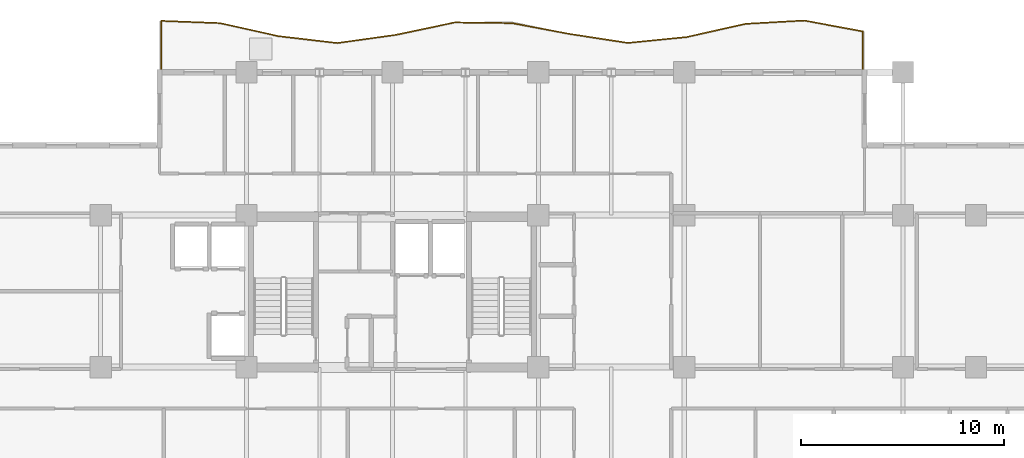
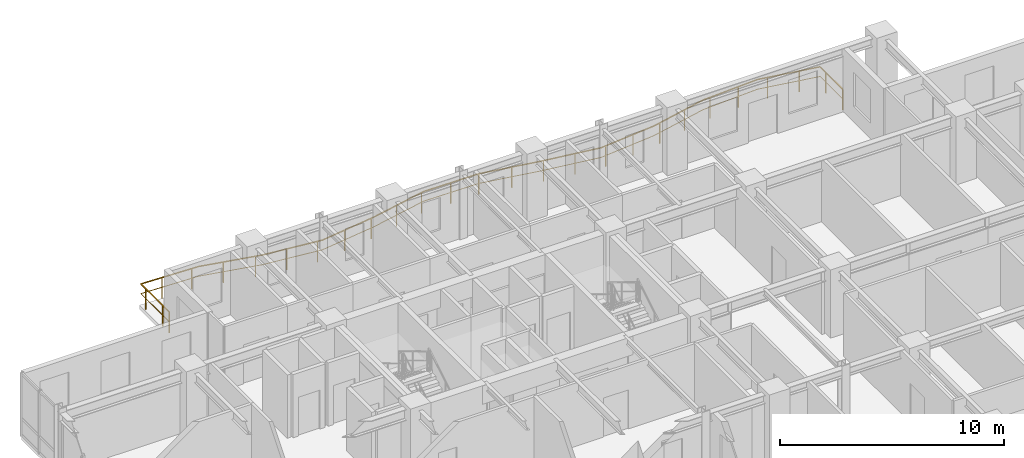
# One storey, part 18 of 18: 1 railing.
"""IFC4 building model written with IfcOpenShell, lengths in metres."""

from ifc_helpers import new_model, si_unit, direction, frame, origin, origin_2d, place, context, subcontext, project, spatial, rectangle, extrude, material, type_object, element, save


model = new_model("IFC4")

# Units and contexts
model_context = context("Model", 3, precision=1e-05, world=origin(), true_north=direction((0.0, 1.0)))
body_context = subcontext(model_context, "Body", "Model", "MODEL_VIEW")
ifc_project = project(units=[si_unit("LENGTHUNIT", "METRE"), si_unit("AREAUNIT", "SQUARE_METRE"), si_unit("VOLUMEUNIT", "CUBIC_METRE"), si_unit("PLANEANGLEUNIT", "RADIAN"), si_unit("MASSUNIT", "GRAM", prefix="KILO")], contexts=[model_context])

# Site, building, storey
site_placement = place(None, origin())
site = spatial("IfcSite", under=ifc_project, at=site_placement, CompositionType="ELEMENT")
building_placement = place(site_placement, origin())
building = spatial("IfcBuilding", under=site, at=building_placement, Name="Kaliganga Portal Commons", CompositionType="ELEMENT")
storey_placement = place(building_placement, frame((0.0, 0.0, 169.800048828125)))
storey = spatial("IfcBuildingStorey", under=building, at=storey_placement, Name="L43", CompositionType="ELEMENT", Elevation=169.800048828125)

# Railing
ifc_material = material(Name="Laminated Safety Glass and Stainless Steel 316", Category="steel")
railing_type = type_object("IfcRailingType", Name="RLG-BAL-1150", PredefinedType="BALUSTRADE", material=ifc_material)
railing_placement = place(storey_placement, frame((44.8203125, 43.208251953125, 0.0)))
element("IfcRailing", 1, at=railing_placement, inside=storey, type_object=railing_type, Name="Balcony Guardrail L43 balc_north", PredefinedType="BALUSTRADE", context=body_context, shape_type="SweptSolid", body=[
    extrude(rectangle(XDim=0.048095703125, YDim=0.048095703125, at=origin_2d()), frame((0.0, 0.0, 1.1259765625), z_axis=(-0.000121329773, 0.99999999264, 0.0), x_axis=(-0.99999999264, -0.000121329773, 0.0)), (0.0, 0.0, 1.0), 2.01220703125),
    extrude(rectangle(XDim=0.028076171875, YDim=0.028076171875, at=origin_2d()), frame((0.0, 0.0, 0.597900390625), z_axis=(-0.000121329773, 0.99999999264, 0.0), x_axis=(-0.99999999264, -0.000121329773, 0.0)), (0.0, 0.0, 1.0), 2.01220703125),
    extrude(rectangle(XDim=0.048095703125, YDim=0.048095703125, at=origin_2d()), frame((-0.000244140625, 2.01220703125, 1.1259765625), z_axis=(-0.983157729615, 0.182759072823, 0.0), x_axis=(-0.182759072823, -0.983157729615, 0.0)), (0.0, 0.0, 1.0), 2.949462890625),
    extrude(rectangle(XDim=0.028076171875, YDim=0.028076171875, at=origin_2d()), frame((-0.000244140625, 2.01220703125, 0.597900390625), z_axis=(-0.983157729615, 0.182759072823, 0.0), x_axis=(-0.182759072823, -0.983157729615, 0.0)), (0.0, 0.0, 1.0), 2.949462890625),
    extrude(rectangle(XDim=0.048095703125, YDim=0.048095703125, at=origin_2d()), frame((-2.900146484375, 2.55126953125, 1.1259765625), z_axis=(-0.998403724178, -0.056480116394, 0.0), x_axis=(0.056480116394, -0.998403724178, 0.0)), (0.0, 0.0, 1.0), 2.90478515625),
    extrude(rectangle(XDim=0.028076171875, YDim=0.028076171875, at=origin_2d()), frame((-2.900146484375, 2.55126953125, 0.597900390625), z_axis=(-0.998403724178, -0.056480116394, 0.0), x_axis=(0.056480116394, -0.998403724178, 0.0)), (0.0, 0.0, 1.0), 2.90478515625),
    extrude(rectangle(XDim=0.048095703125, YDim=0.048095703125, at=origin_2d()), frame((-5.80029296875, 2.38720703125, 1.1259765625), z_axis=(-0.975637013944, -0.219391013996, 0.0), x_axis=(0.219391013996, -0.975637013944, 0.0)), (0.0, 0.0, 1.0), 2.972412109375),
    extrude(rectangle(XDim=0.028076171875, YDim=0.028076171875, at=origin_2d()), frame((-5.80029296875, 2.38720703125, 0.597900390625), z_axis=(-0.975637013944, -0.219391013996, 0.0), x_axis=(0.219391013996, -0.975637013944, 0.0)), (0.0, 0.0, 1.0), 2.972412109375),
    extrude(rectangle(XDim=0.048095703125, YDim=0.048095703125, at=origin_2d()), frame((-8.7001953125, 1.735107421875, 1.1259765625), z_axis=(-0.995060387415, -0.099271473235, 0.0), x_axis=(0.099271473235, -0.995060387415, 0.0)), (0.0, 0.0, 1.0), 2.914306640625),
    extrude(rectangle(XDim=0.028076171875, YDim=0.028076171875, at=origin_2d()), frame((-8.7001953125, 1.735107421875, 0.597900390625), z_axis=(-0.995060387415, -0.099271473235, 0.0), x_axis=(0.099271473235, -0.995060387415, 0.0)), (0.0, 0.0, 1.0), 2.914306640625),
    extrude(rectangle(XDim=0.048095703125, YDim=0.048095703125, at=origin_2d()), frame((-11.60009765625, 1.44580078125, 1.1259765625), z_axis=(-0.988453321945, 0.1515256755, 0.0), x_axis=(-0.1515256755, -0.988453321945, 0.0)), (0.0, 0.0, 1.0), 2.93408203125),
    extrude(rectangle(XDim=0.028076171875, YDim=0.028076171875, at=origin_2d()), frame((-11.60009765625, 1.44580078125, 0.597900390625), z_axis=(-0.988453321945, 0.1515256755, 0.0), x_axis=(-0.1515256755, -0.988453321945, 0.0)), (0.0, 0.0, 1.0), 2.93408203125),
    extrude(rectangle(XDim=0.048095703125, YDim=0.048095703125, at=origin_2d()), frame((-14.500244140625, 1.890380859375, 1.1259765625), z_axis=(-0.982714840697, 0.185125746113, 0.0), x_axis=(-0.185125746113, -0.982714840697, 0.0)), (0.0, 0.0, 1.0), 2.86962890625),
    extrude(rectangle(XDim=0.028076171875, YDim=0.028076171875, at=origin_2d()), frame((-14.500244140625, 1.890380859375, 0.597900390625), z_axis=(-0.982714840697, 0.185125746113, 0.0), x_axis=(-0.185125746113, -0.982714840697, 0.0)), (0.0, 0.0, 1.0), 2.86962890625),
    extrude(rectangle(XDim=0.048095703125, YDim=0.048095703125, at=origin_2d()), frame((-17.3203125, 2.421630859375, 1.1259765625), z_axis=(-0.999925609198, 0.012197379609, 0.0), x_axis=(-0.012197379609, -0.999925609198, 0.0)), (0.0, 0.0, 1.0), 2.822265625),
    extrude(rectangle(XDim=0.028076171875, YDim=0.028076171875, at=origin_2d()), frame((-17.3203125, 2.421630859375, 0.597900390625), z_axis=(-0.999925609198, 0.012197379609, 0.0), x_axis=(-0.012197379609, -0.999925609198, 0.0)), (0.0, 0.0, 1.0), 2.822265625),
    extrude(rectangle(XDim=0.048095703125, YDim=0.048095703125, at=origin_2d()), frame((-20.142333984375, 2.4560546875, 1.1259765625), z_axis=(-0.978515660112, -0.206172507661, 0.0), x_axis=(0.206172507661, -0.978515660112, 0.0)), (0.0, 0.0, 1.0), 2.961669921875),
    extrude(rectangle(XDim=0.028076171875, YDim=0.028076171875, at=origin_2d()), frame((-20.142333984375, 2.4560546875, 0.597900390625), z_axis=(-0.978515660112, -0.206172507661, 0.0), x_axis=(0.206172507661, -0.978515660112, 0.0)), (0.0, 0.0, 1.0), 2.961669921875),
    extrude(rectangle(XDim=0.048095703125, YDim=0.048095703125, at=origin_2d()), frame((-23.040283203125, 1.845458984375, 1.1259765625), z_axis=(-0.990330983338, -0.138724703786, 0.0), x_axis=(0.138724703786, -0.990330983338, 0.0)), (0.0, 0.0, 1.0), 2.928466796875),
    extrude(rectangle(XDim=0.028076171875, YDim=0.028076171875, at=origin_2d()), frame((-23.040283203125, 1.845458984375, 0.597900390625), z_axis=(-0.990330983338, -0.138724703786, 0.0), x_axis=(0.138724703786, -0.990330983338, 0.0)), (0.0, 0.0, 1.0), 2.928466796875),
    extrude(rectangle(XDim=0.048095703125, YDim=0.048095703125, at=origin_2d()), frame((-25.9404296875, 1.439208984375, 1.1259765625), z_axis=(-0.993241626845, 0.116064941746, 0.0), x_axis=(-0.116064941746, -0.993241626845, 0.0)), (0.0, 0.0, 1.0), 2.919677734375),
    extrude(rectangle(XDim=0.028076171875, YDim=0.028076171875, at=origin_2d()), frame((-25.9404296875, 1.439208984375, 0.597900390625), z_axis=(-0.993241626845, 0.116064941746, 0.0), x_axis=(-0.116064941746, -0.993241626845, 0.0)), (0.0, 0.0, 1.0), 2.919677734375),
    extrude(rectangle(XDim=0.048095703125, YDim=0.048095703125, at=origin_2d()), frame((-28.84033203125, 1.778076171875, 1.1259765625), z_axis=(-0.97614837442, 0.217104470513, 0.0), x_axis=(-0.217104470513, -0.97614837442, 0.0)), (0.0, 0.0, 1.0), 2.970947265625),
    extrude(rectangle(XDim=0.028076171875, YDim=0.028076171875, at=origin_2d()), frame((-28.84033203125, 1.778076171875, 0.597900390625), z_axis=(-0.97614837442, 0.217104470513, 0.0), x_axis=(-0.217104470513, -0.97614837442, 0.0)), (0.0, 0.0, 1.0), 2.970947265625),
    extrude(rectangle(XDim=0.048095703125, YDim=0.048095703125, at=origin_2d()), frame((-31.740478515625, 2.423095703125, 1.1259765625), z_axis=(-0.999279942508, 0.037942014992, 0.0), x_axis=(-0.037942014992, -0.999279942508, 0.0)), (0.0, 0.0, 1.0), 2.902099609375),
    extrude(rectangle(XDim=0.028076171875, YDim=0.028076171875, at=origin_2d()), frame((-31.740478515625, 2.423095703125, 0.597900390625), z_axis=(-0.999279942508, 0.037942014992, 0.0), x_axis=(-0.037942014992, -0.999279942508, 0.0)), (0.0, 0.0, 1.0), 2.902099609375),
    extrude(rectangle(XDim=0.048095703125, YDim=0.048095703125, at=origin_2d()), frame((-34.640380859375, 2.533203125, 1.1259765625), z_axis=(-9.6376252e-05, -0.999999995356, 0.0), x_axis=(0.999999995356, -9.6376252e-05, 0.0)), (0.0, 0.0, 1.0), 2.533203125),
    extrude(rectangle(XDim=0.028076171875, YDim=0.028076171875, at=origin_2d()), frame((-34.640380859375, 2.533203125, 0.597900390625), z_axis=(-9.6376252e-05, -0.999999995356, 0.0), x_axis=(0.999999995356, -9.6376252e-05, 0.0)), (0.0, 0.0, 1.0), 2.533203125),
    extrude(rectangle(XDim=0.0419921875, YDim=0.0419921875, at=origin_2d()), origin(), (0.0, 0.0, 1.0), 1.101806640625),
    extrude(rectangle(XDim=0.0419921875, YDim=0.0419921875, at=origin_2d()), frame((-0.000244140625, 1.5, 0.0)), (0.0, 0.0, 1.0), 1.101806640625),
    extrude(rectangle(XDim=0.0419921875, YDim=0.0419921875, at=origin_2d()), frame((-0.971435546875, 2.192626953125, 0.0)), (0.0, 0.0, 1.0), 1.101806640625),
    extrude(rectangle(XDim=0.0419921875, YDim=0.0419921875, at=origin_2d()), frame((-2.446044921875, 2.466796875, 0.0)), (0.0, 0.0, 1.0), 1.101806640625),
    extrude(rectangle(XDim=0.0419921875, YDim=0.0419921875, at=origin_2d()), frame((-3.936767578125, 2.49267578125, 0.0)), (0.0, 0.0, 1.0), 1.101806640625),
    extrude(rectangle(XDim=0.0419921875, YDim=0.0419921875, at=origin_2d()), frame((-5.434326171875, 2.407958984375, 0.0)), (0.0, 0.0, 1.0), 1.101806640625),
    extrude(rectangle(XDim=0.0419921875, YDim=0.0419921875, at=origin_2d()), frame((-6.906005859375, 2.138427734375, 0.0)), (0.0, 0.0, 1.0), 1.101806640625),
    extrude(rectangle(XDim=0.0419921875, YDim=0.0419921875, at=origin_2d()), frame((-8.36962890625, 1.8095703125, 0.0)), (0.0, 0.0, 1.0), 1.101806640625),
    extrude(rectangle(XDim=0.0419921875, YDim=0.0419921875, at=origin_2d()), frame((-9.85546875, 1.619873046875, 0.0)), (0.0, 0.0, 1.0), 1.101806640625),
    extrude(rectangle(XDim=0.0419921875, YDim=0.0419921875, at=origin_2d()), frame((-11.34814453125, 1.470947265625, 0.0)), (0.0, 0.0, 1.0), 1.101806640625),
    extrude(rectangle(XDim=0.0419921875, YDim=0.0419921875, at=origin_2d()), frame((-12.83251953125, 1.634765625, 0.0)), (0.0, 0.0, 1.0), 1.101806640625),
    extrude(rectangle(XDim=0.0419921875, YDim=0.0419921875, at=origin_2d()), frame((-14.315185546875, 1.862060546875, 0.0)), (0.0, 0.0, 1.0), 1.101806640625),
    extrude(rectangle(XDim=0.0419921875, YDim=0.0419921875, at=origin_2d()), frame((-15.790283203125, 2.13330078125, 0.0)), (0.0, 0.0, 1.0), 1.101806640625),
    extrude(rectangle(XDim=0.0419921875, YDim=0.0419921875, at=origin_2d()), frame((-17.3203125, 2.421630859375, 0.0)), (0.0, 0.0, 1.0), 1.101806640625),
    extrude(rectangle(XDim=0.0419921875, YDim=0.0419921875, at=origin_2d()), frame((-18.763427734375, 2.439208984375, 0.0)), (0.0, 0.0, 1.0), 1.101806640625),
    extrude(rectangle(XDim=0.0419921875, YDim=0.0419921875, at=origin_2d()), frame((-20.2607421875, 2.43115234375, 0.0)), (0.0, 0.0, 1.0), 1.101806640625),
    extrude(rectangle(XDim=0.0419921875, YDim=0.0419921875, at=origin_2d()), frame((-21.728515625, 2.121826171875, 0.0)), (0.0, 0.0, 1.0), 1.101806640625),
    extrude(rectangle(XDim=0.0419921875, YDim=0.0419921875, at=origin_2d()), frame((-23.197998046875, 1.8232421875, 0.0)), (0.0, 0.0, 1.0), 1.101806640625),
    extrude(rectangle(XDim=0.0419921875, YDim=0.0419921875, at=origin_2d()), frame((-24.68359375, 1.615234375, 0.0)), (0.0, 0.0, 1.0), 1.101806640625),
    extrude(rectangle(XDim=0.0419921875, YDim=0.0419921875, at=origin_2d()), frame((-26.169677734375, 1.466064453125, 0.0)), (0.0, 0.0, 1.0), 1.101806640625),
    extrude(rectangle(XDim=0.0419921875, YDim=0.0419921875, at=origin_2d()), frame((-27.65966796875, 1.64013671875, 0.0)), (0.0, 0.0, 1.0), 1.101806640625),
    extrude(rectangle(XDim=0.0419921875, YDim=0.0419921875, at=origin_2d()), frame((-29.14404296875, 1.845703125, 0.0)), (0.0, 0.0, 1.0), 1.101806640625),
    extrude(rectangle(XDim=0.0419921875, YDim=0.0419921875, at=origin_2d()), frame((-30.6083984375, 2.17138671875, 0.0)), (0.0, 0.0, 1.0), 1.101806640625),
    extrude(rectangle(XDim=0.0419921875, YDim=0.0419921875, at=origin_2d()), frame((-32.080322265625, 2.43603515625, 0.0)), (0.0, 0.0, 1.0), 1.101806640625),
    extrude(rectangle(XDim=0.0419921875, YDim=0.0419921875, at=origin_2d()), frame((-33.579345703125, 2.492919921875, 0.0)), (0.0, 0.0, 1.0), 1.101806640625),
    extrude(rectangle(XDim=0.0419921875, YDim=0.0419921875, at=origin_2d()), frame((-34.640380859375, 2.094970703125, 0.0)), (0.0, 0.0, 1.0), 1.101806640625),
    extrude(rectangle(XDim=0.0419921875, YDim=0.0419921875, at=origin_2d()), frame((-34.640625, 0.594970703125, 0.0)), (0.0, 0.0, 1.0), 1.101806640625),
    extrude(rectangle(XDim=0.0419921875, YDim=0.0419921875, at=origin_2d()), frame((-34.640625, 0.0, 0.0)), (0.0, 0.0, 1.0), 1.101806640625),
])

save(model, "model.ifc")
